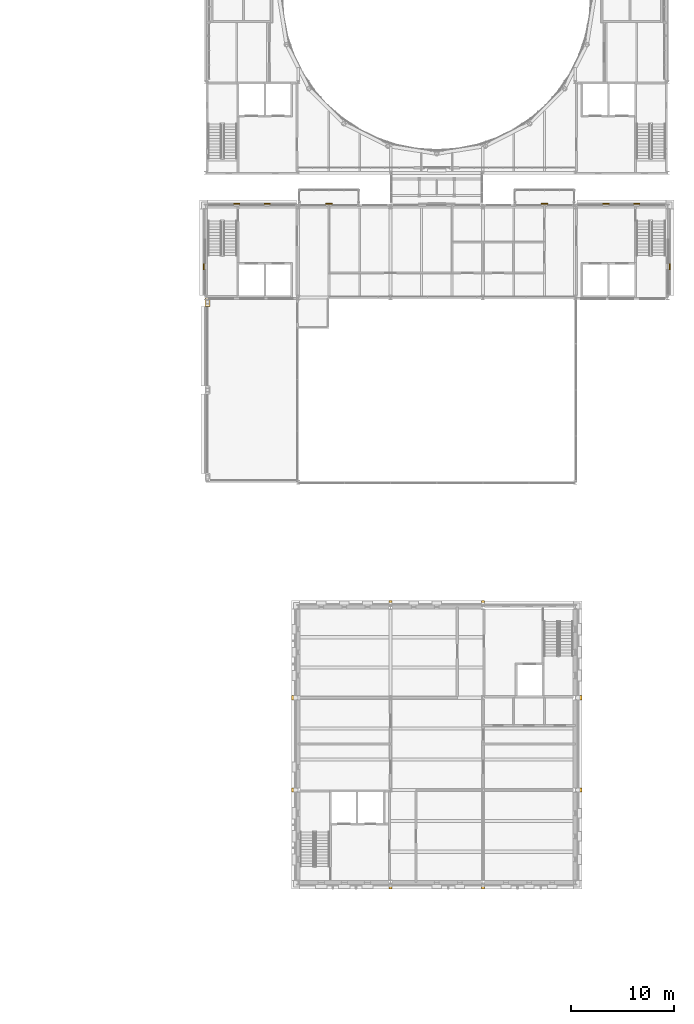
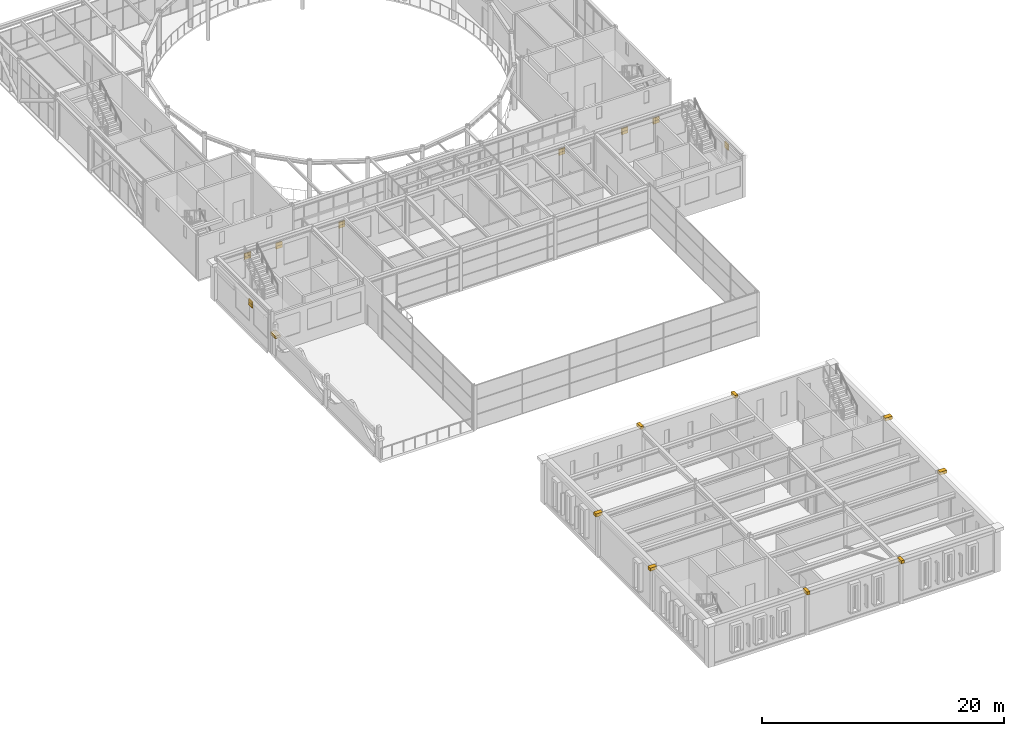
# One storey, part 70 of 70: 25 coverings.
"""IFC4 building model written with IfcOpenShell, lengths in metres."""

from ifc_helpers import new_model, si_unit, direction, frame, origin, origin_2d, place, context, subcontext, project, spatial, rectangle, extrude, material, layer, layer_set, type_object, element, save


model = new_model("IFC4")

# Units and contexts
model_context = context("Model", 3, precision=1e-05, world=origin(), true_north=direction((0.0, 1.0)))
body_context = subcontext(model_context, "Body", "Model", "MODEL_VIEW")
ifc_project = project(units=[si_unit("LENGTHUNIT", "METRE"), si_unit("AREAUNIT", "SQUARE_METRE"), si_unit("VOLUMEUNIT", "CUBIC_METRE"), si_unit("PLANEANGLEUNIT", "RADIAN"), si_unit("MASSUNIT", "GRAM", prefix="KILO")], contexts=[model_context])

# Site, building, storey
site_placement = place(None, origin())
site = spatial("IfcSite", under=ifc_project, at=site_placement, CompositionType="ELEMENT")
building_placement = place(site_placement, origin())
building = spatial("IfcBuilding", under=site, at=building_placement, Name="Kallimachos Central Library", CompositionType="ELEMENT")
storey_placement = place(building_placement, frame((0.0, 0.0, 18.89990234375)))
storey = spatial("IfcBuildingStorey", under=building, at=storey_placement, Name="L04", CompositionType="ELEMENT", Elevation=18.89990234375)

# Coverings
ifc_material_1 = material(Name="Glazed ceramic frieze, green")
ifc_layer_1 = layer(ifc_material_1, 0.10009765625)
ifc_layer_set_1 = layer_set([ifc_layer_1], Name="Glazed ceramic frieze, green")
covering_type_1 = type_object("IfcCoveringType", Name="Glazed ceramic frieze, green", PredefinedType="CLADDING", material=ifc_layer_set_1)
for number, where, z_axis, x_axis, name in (
    (1, (68.5, 84.115966796875, 3.18017578125), (0.0, 0.0, 1.0), (1.0, 0.0, 0.0), "Glazed ceramic frieze, green -L04-015"),
    (2, (71.5, 84.115966796875, 3.18017578125), (0.0, 0.0, 1.0), (1.0, 0.0, 0.0), "Glazed ceramic frieze, green -L04-015"),
    (3, (77.5, 84.115966796875, 3.18017578125), (0.0, 0.0, 1.0), (1.0, 0.0, 0.0), "Glazed ceramic frieze, green -L04-016"),
    (4, (98.5, 84.115966796875, 3.18017578125), (0.0, 0.0, 1.0), (1.0, 0.0, 0.0), "Glazed ceramic frieze, green -L04-018"),
    (5, (104.5, 84.115966796875, 3.18017578125), (0.0, 0.0, 1.0), (1.0, 0.0, 0.0), "Glazed ceramic frieze, green -L04-019"),
    (6, (107.5, 84.115966796875, 3.18017578125), (0.0, 0.0, 1.0), (1.0, 0.0, 0.0), "Glazed ceramic frieze, green -L04-019"),
):
    element("IfcCovering", number, at=place(storey_placement, frame(where, z_axis=z_axis, x_axis=x_axis)), inside=storey, type_object=covering_type_1, Name=name, PredefinedType="CLADDING", context=body_context, shape_type="SweptSolid", body=[
        extrude(rectangle(XDim=0.60009765625, YDim=0.10009765625, at=origin_2d()), origin(), (0.0, 0.0, 1.0), 0.300048828125),
    ])
for number, where, z_axis, x_axis, name in (
    (7, (65.29638671875, 78.0, 3.18017578125), (0.0, 0.0, 1.0), (1.0, 0.0, 0.0), "Glazed ceramic frieze, green -L04-020"),
    (8, (110.70361328125, 78.0, 3.18017578125), (0.0, 0.0, 1.0), (1.0, 0.0, 0.0), "Glazed ceramic frieze, green -L04-021"),
):
    element("IfcCovering", number, at=place(storey_placement, frame(where, z_axis=z_axis, x_axis=x_axis)), inside=storey, type_object=covering_type_1, Name=name, PredefinedType="CLADDING", context=body_context, shape_type="SweptSolid", body=[
        extrude(rectangle(XDim=0.10009765625, YDim=0.60009765625, at=origin_2d()), origin(), (0.0, 0.0, 1.0), 0.300048828125),
    ])
ifc_material_2 = material(Name="Glazed ceramic frieze, ochre")
ifc_layer_2 = layer(ifc_material_2, 0.10009765625)
ifc_layer_set_2 = layer_set([ifc_layer_2], Name="Glazed ceramic frieze, ochre")
covering_type_2 = type_object("IfcCoveringType", Name="Glazed ceramic frieze, ochre", PredefinedType="CLADDING", material=ifc_layer_set_2)
for number, where, z_axis, x_axis, name in (
    (9, (68.5, 84.115966796875, 2.8798828125), (0.0, 0.0, 1.0), (1.0, 0.0, 0.0), "Glazed ceramic frieze, ochre -L04-015"),
    (10, (71.5, 84.115966796875, 2.8798828125), (0.0, 0.0, 1.0), (1.0, 0.0, 0.0), "Glazed ceramic frieze, ochre -L04-015"),
    (11, (77.5, 84.115966796875, 2.8798828125), (0.0, 0.0, 1.0), (1.0, 0.0, 0.0), "Glazed ceramic frieze, ochre -L04-016"),
    (12, (98.5, 84.115966796875, 2.8798828125), (0.0, 0.0, 1.0), (1.0, 0.0, 0.0), "Glazed ceramic frieze, ochre -L04-018"),
    (13, (104.5, 84.115966796875, 2.8798828125), (0.0, 0.0, 1.0), (1.0, 0.0, 0.0), "Glazed ceramic frieze, ochre -L04-019"),
    (14, (107.5, 84.115966796875, 2.8798828125), (0.0, 0.0, 1.0), (1.0, 0.0, 0.0), "Glazed ceramic frieze, ochre -L04-019"),
):
    element("IfcCovering", number, at=place(storey_placement, frame(where, z_axis=z_axis, x_axis=x_axis)), inside=storey, type_object=covering_type_2, Name=name, PredefinedType="CLADDING", context=body_context, shape_type="SweptSolid", body=[
        extrude(rectangle(XDim=0.60009765625, YDim=0.10009765625, at=origin_2d()), origin(), (0.0, 0.0, 1.0), 0.300048828125),
    ])
for number, where, z_axis, x_axis, name in (
    (15, (65.29638671875, 78.0, 2.8798828125), (0.0, 0.0, 1.0), (1.0, 0.0, 0.0), "Glazed ceramic frieze, ochre -L04-020"),
    (16, (110.70361328125, 78.0, 2.8798828125), (0.0, 0.0, 1.0), (1.0, 0.0, 0.0), "Glazed ceramic frieze, ochre -L04-021"),
):
    element("IfcCovering", number, at=place(storey_placement, frame(where, z_axis=z_axis, x_axis=x_axis)), inside=storey, type_object=covering_type_2, Name=name, PredefinedType="CLADDING", context=body_context, shape_type="SweptSolid", body=[
        extrude(rectangle(XDim=0.10009765625, YDim=0.60009765625, at=origin_2d()), origin(), (0.0, 0.0, 1.0), 0.300048828125),
    ])
ifc_material_3 = material(Name="Pentelic marble cornice", Category="masonry")
ifc_layer_3 = layer(ifc_material_3, 0.449951171875)
ifc_layer_set_3 = layer_set([ifc_layer_3], Name="Stone cornice 450")
covering_type_3 = type_object("IfcCoveringType", Name="Stone cornice 450", PredefinedType="MOLDING", material=ifc_layer_set_3)
for number, where, z_axis, x_axis, name in (
    (17, (83.5, 17.675048828125, 4.2001953125), (0.0, 0.0, 1.0), (1.0, 0.0, 0.0), "Stone cornice 450 -L04-010"),
    (18, (92.5, 17.675048828125, 4.2001953125), (0.0, 0.0, 1.0), (1.0, 0.0, 0.0), "Stone cornice 450 -L04-011"),
    (19, (83.5, 45.175048828125, 4.2001953125), (0.0, 0.0, 1.0), (1.0, 0.0, 0.0), "Stone cornice 450 -L04-013"),
    (20, (92.5, 45.175048828125, 4.2001953125), (0.0, 0.0, 1.0), (1.0, 0.0, 0.0), "Stone cornice 450 -L04-014"),
):
    element("IfcCovering", number, at=place(storey_placement, frame(where, z_axis=z_axis, x_axis=x_axis)), inside=storey, type_object=covering_type_3, Name=name, PredefinedType="MOLDING", context=body_context, shape_type="SweptSolid", body=[
        extrude(rectangle(XDim=0.300048828125, YDim=0.64990234375, at=origin_2d()), origin(), (0.0, 0.0, 1.0), 0.300048828125),
    ])
for number, where, z_axis, x_axis, name in (
    (21, (74.175048828125, 27.0, 4.2001953125), (0.0, 0.0, 1.0), (1.0, 0.0, 0.0), "Stone cornice 450 -L04-016"),
    (22, (74.175048828125, 36.0, 4.2001953125), (0.0, 0.0, 1.0), (1.0, 0.0, 0.0), "Stone cornice 450 -L04-017"),
    (23, (101.824951171875, 27.0, 4.2001953125), (0.0, 0.0, 1.0), (1.0, 0.0, 0.0), "Stone cornice 450 -L04-019"),
    (24, (101.824951171875, 36.0, 4.2001953125), (0.0, 0.0, 1.0), (1.0, 0.0, 0.0), "Stone cornice 450 -L04-020"),
):
    element("IfcCovering", number, at=place(storey_placement, frame(where, z_axis=z_axis, x_axis=x_axis)), inside=storey, type_object=covering_type_3, Name=name, PredefinedType="MOLDING", context=body_context, shape_type="SweptSolid", body=[
        extrude(rectangle(XDim=0.64990234375, YDim=0.39990234375, at=origin_2d()), origin(), (0.0, 0.0, 1.0), 0.300048828125),
    ])
ifc_material_4 = material(Name="Pentelic marble pinnacle cap", Category="masonry")
ifc_layer_4 = layer(ifc_material_4, 0.800048828125)
ifc_layer_set_4 = layer_set([ifc_layer_4], Name="Stone pinnacle cap 800")
covering_type_4 = type_object("IfcCoveringType", Name="Stone pinnacle cap 800", PredefinedType="MOLDING", material=ifc_layer_set_4)
covering_placement = place(storey_placement, frame((65.64990234375, 74.550048828125, 1.900146484375), z_axis=(0.0, 0.0, 1.0), x_axis=(1.0, 0.0, 0.0)))
element("IfcCovering", 25, at=covering_placement, inside=storey, type_object=covering_type_4, Name="West wing roof edge pinnacle 3 cap", PredefinedType="MOLDING", context=body_context, shape_type="SweptSolid", body=[
    extrude(rectangle(XDim=0.5, YDim=0.800048828125, at=origin_2d()), origin(), (0.0, 0.0, 1.0), 0.25),
])

save(model, "model.ifc")
